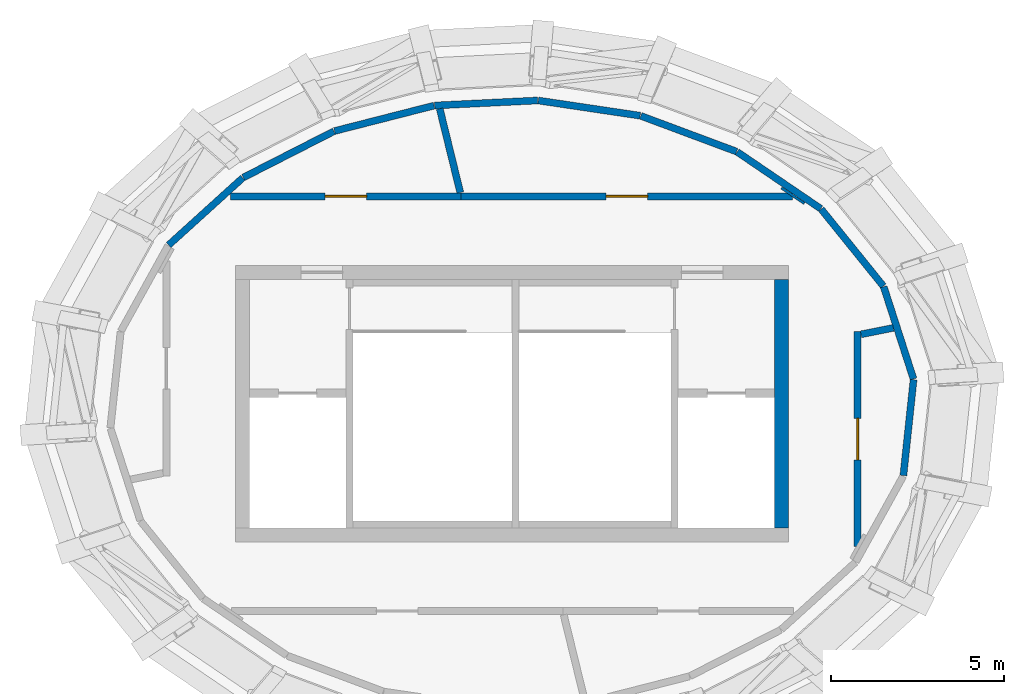
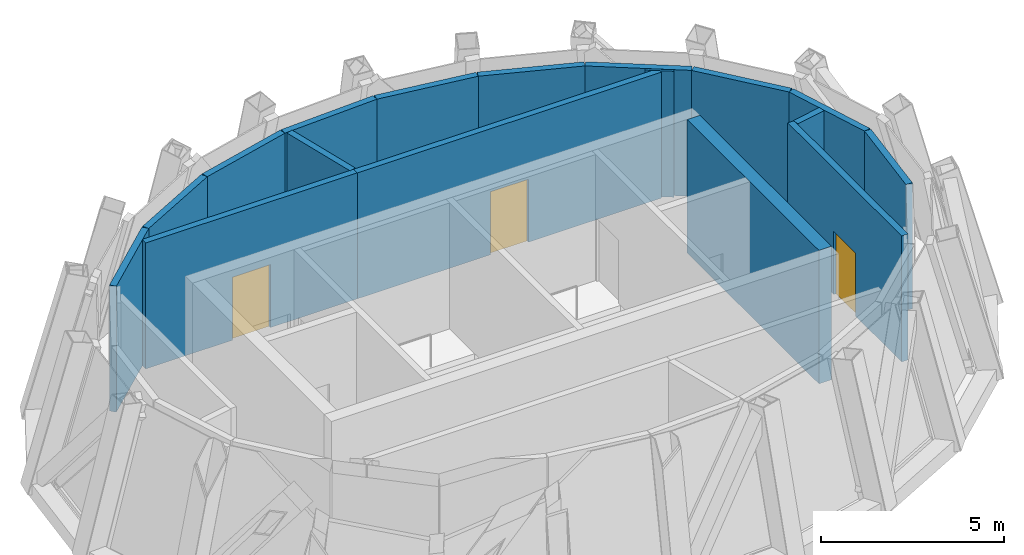
# One storey, part 5 of 6: 17 walls, 3 doors, 3 openings.
"""IFC4 building model written with IfcOpenShell, lengths in metres."""

from ifc_helpers import new_model, si_unit, direction, frame, frame_2d, origin, place, context, subcontext, project, spatial, rectangle, extrude, source, transform, mapped, material, layer, layer_set, type_object, element, fill, save


model = new_model("IFC4")

# Units and contexts
model_context = context("Model", 3, precision=1e-05, world=origin(), true_north=direction((0.0, 1.0)))
body_context = subcontext(model_context, "Body", "Model", "MODEL_VIEW")
ifc_project = project(units=[si_unit("LENGTHUNIT", "METRE"), si_unit("AREAUNIT", "SQUARE_METRE"), si_unit("VOLUMEUNIT", "CUBIC_METRE"), si_unit("PLANEANGLEUNIT", "RADIAN"), si_unit("MASSUNIT", "GRAM", prefix="KILO")], contexts=[model_context])

# Site, building, storey
site_placement = place(None, origin())
site = spatial("IfcSite", under=ifc_project, at=site_placement, CompositionType="ELEMENT")
building_placement = place(site_placement, origin())
building = spatial("IfcBuilding", under=site, at=building_placement, Name="Embergate Tower", CompositionType="ELEMENT")
storey_placement = place(building_placement, frame((0.0, 0.0, 370.0)))
storey = spatial("IfcBuildingStorey", under=building, at=storey_placement, Name="L84", CompositionType="ELEMENT", Elevation=370.0)

# Walls
ifc_material_1 = material(Name="Concrete C50", Category="concrete")
ifc_layer_1 = layer(ifc_material_1, 0.39990234375)
ifc_layer_set_1 = layer_set([ifc_layer_1], Name="Concrete C50")
wall_type_1 = type_object("IfcWallType", Name="Core outer wall C50 400", PredefinedType="SHEAR", material=ifc_layer_set_1)
shared_shape_1 = source(origin(), body_context, "Body", "SweptSolid", [
    extrude(rectangle(XDim=7.2001953125, YDim=0.39990234375, at=frame_2d((3.60009765625, 0.0))), origin(), (0.0, 0.0, 1.0), 4.449951171875),
])
wall_1_placement = place(storey_placement, frame((7.800048828125, -3.60009765625, -0.25), z_axis=(0.0, 0.0, 1.0), x_axis=(0.0, 1.0, 0.0)))
element("IfcWall", 1, at=wall_1_placement, inside=storey, type_object=wall_type_1, Name="CW-L84-E", PredefinedType="SHEAR", context=body_context, shape_type="MappedRepresentation", body=[
    mapped(shared_shape_1, transform((0.0, 0.0, 0.0))),
])
ifc_material_2 = material(Name="Terracotta louvre cladding on insulated backing", Category="masonry")
ifc_layer_2 = layer(ifc_material_2, 0.199951171875)
ifc_layer_set_2 = layer_set([ifc_layer_2], Name="Terracotta louvre cladding on insulated backing")
wall_type_2 = type_object("IfcWallType", Name="Terracotta louvre wall", PredefinedType="SOLIDWALL", material=ifc_layer_set_2)
shared_shape_2 = source(origin(), body_context, "Body", "SweptSolid", [
    extrude(rectangle(XDim=2.86328125, YDim=0.199951171875, at=frame_2d((1.431640625, 0.0))), origin(), (0.0, 0.0, 1.0), 4.199951171875),
])
wall_2_placement = place(storey_placement, frame((8.9453125, 5.628662109375, 0.0), z_axis=(0.0, 0.0, 1.0), x_axis=(0.628223975098, -0.77803254245, 0.0)))
element("IfcWall", 2, at=wall_2_placement, inside=storey, type_object=wall_type_2, Name="Crown louvre wall 1", PredefinedType="SOLIDWALL", context=body_context, shape_type="MappedRepresentation", body=[
    mapped(shared_shape_2, transform((0.0, 0.0, 0.0))),
])
shared_shape_3 = source(origin(), body_context, "Body", "SweptSolid", [
    extrude(rectangle(XDim=2.920166015625, YDim=0.199951171875, at=frame_2d((1.4599609375, 0.0))), origin(), (0.0, 0.0, 1.0), 4.199951171875),
])
wall_3_placement = place(storey_placement, frame((6.515869140625, 7.28369140625, 0.0), z_axis=(0.0, 0.0, 1.0), x_axis=(0.827026010812, -0.562163657168, 0.0)))
element("IfcWall", 3, at=wall_3_placement, inside=storey, type_object=wall_type_2, Name="Crown louvre wall 2", PredefinedType="SOLIDWALL", context=body_context, shape_type="MappedRepresentation", body=[
    mapped(shared_shape_3, transform((0.0, 0.0, 0.0))),
])
shared_shape_4 = source(origin(), body_context, "Body", "SweptSolid", [
    extrude(rectangle(XDim=2.95849609375, YDim=0.199951171875, at=frame_2d((1.479248046875, 0.0))), origin(), (0.0, 0.0, 1.0), 4.199951171875),
])
wall_4_placement = place(storey_placement, frame((3.726318359375, 8.326904296875, 0.0), z_axis=(0.0, 0.0, 1.0), x_axis=(0.936917921025, -0.349549437508, 0.0)))
element("IfcWall", 4, at=wall_4_placement, inside=storey, type_object=wall_type_2, Name="Crown louvre wall 3", PredefinedType="SOLIDWALL", context=body_context, shape_type="MappedRepresentation", body=[
    mapped(shared_shape_4, transform((0.0, 0.0, 0.0))),
])
shared_shape_5 = source(origin(), body_context, "Body", "SweptSolid", [
    extrude(rectangle(XDim=2.978271484375, YDim=0.199951171875, at=frame_2d((1.4892578125, 0.0))), origin(), (0.0, 0.0, 1.0), 4.199951171875),
])
wall_5_placement = place(storey_placement, frame((0.760986328125, 8.77099609375, 0.0), z_axis=(0.0, 0.0, 1.0), x_axis=(0.989067040899, -0.147466567759, 0.0)))
element("IfcWall", 5, at=wall_5_placement, inside=storey, type_object=wall_type_2, Name="Crown louvre wall 4", PredefinedType="SOLIDWALL", context=body_context, shape_type="MappedRepresentation", body=[
    mapped(shared_shape_5, transform((0.0, 0.0, 0.0))),
])
shared_shape_6 = source(origin(), body_context, "Body", "SweptSolid", [
    extrude(rectangle(XDim=2.981201171875, YDim=0.199951171875, at=frame_2d((1.49072265625, 0.0))), origin(), (0.0, 0.0, 1.0), 4.199951171875),
])
wall_6_placement = place(storey_placement, frame((-2.236328125, 8.626708984375, 0.0), z_axis=(0.0, 0.0, 1.0), x_axis=(0.998812059487, 0.048728531928, 0.0)))
element("IfcWall", 6, at=wall_6_placement, inside=storey, type_object=wall_type_2, Name="Crown louvre wall 5", PredefinedType="SOLIDWALL", context=body_context, shape_type="MappedRepresentation", body=[
    mapped(shared_shape_6, transform((0.0, 0.0, 0.0))),
])
shared_shape_7 = source(origin(), body_context, "Body", "SweptSolid", [
    extrude(rectangle(XDim=2.970458984375, YDim=0.199951171875, at=frame_2d((1.4853515625, 0.0))), origin(), (0.0, 0.0, 1.0), 4.199951171875),
])
wall_7_placement = place(storey_placement, frame((-5.134033203125, 7.88818359375, 0.0), z_axis=(0.0, 0.0, 1.0), x_axis=(0.968872424501, 0.247560548235, 0.0)))
element("IfcWall", 7, at=wall_7_placement, inside=storey, type_object=wall_type_2, Name="Crown louvre wall 6", PredefinedType="SOLIDWALL", context=body_context, shape_type="MappedRepresentation", body=[
    mapped(shared_shape_7, transform((0.0, 0.0, 0.0))),
])
shared_shape_8 = source(origin(), body_context, "Body", "SweptSolid", [
    extrude(rectangle(XDim=2.94189453125, YDim=0.199951171875, at=frame_2d((1.470947265625, 0.0))), origin(), (0.0, 0.0, 1.0), 4.199951171875),
])
wall_8_placement = place(storey_placement, frame((-7.773193359375, 6.544189453125, 0.0), z_axis=(0.0, 0.0, 1.0), x_axis=(0.890779694992, 0.454435402439, 0.0)))
element("IfcWall", 8, at=wall_8_placement, inside=storey, type_object=wall_type_2, Name="Crown louvre wall 7", PredefinedType="SOLIDWALL", context=body_context, shape_type="MappedRepresentation", body=[
    mapped(shared_shape_8, transform((0.0, 0.0, 0.0))),
])
shared_shape_9 = source(origin(), body_context, "Body", "SweptSolid", [
    extrude(rectangle(XDim=2.893798828125, YDim=0.199951171875, at=frame_2d((1.44677734375, 0.0))), origin(), (0.0, 0.0, 1.0), 4.199951171875),
])
wall_9_placement = place(storey_placement, frame((-9.93408203125, 4.590087890625, 0.0), z_axis=(0.0, 0.0, 1.0), x_axis=(0.741091893943, 0.671403607923, 0.0)))
element("IfcWall", 9, at=wall_9_placement, inside=storey, type_object=wall_type_2, Name="Crown louvre wall 8", PredefinedType="SOLIDWALL", context=body_context, shape_type="MappedRepresentation", body=[
    mapped(shared_shape_9, transform((0.0, 0.0, 0.0))),
])
shared_shape_10 = source(origin(), body_context, "Body", "SweptSolid", [
    extrude(rectangle(XDim=2.789306640625, YDim=0.199951171875, at=frame_2d((1.39453125, 0.0))), origin(), (0.0, 0.0, 1.0), 4.199951171875),
])
wall_10_placement = place(storey_placement, frame((11.6181640625, 0.695556640625, 0.0), z_axis=(0.0, 0.0, 1.0), x_axis=(-0.105819200095, -0.994385386503, 0.0)))
element("IfcWall", 10, at=wall_10_placement, inside=storey, type_object=wall_type_2, Name="Crown louvre wall 21", PredefinedType="SOLIDWALL", context=body_context, shape_type="MappedRepresentation", body=[
    mapped(shared_shape_10, transform((0.0, 0.0, 0.0))),
])
shared_shape_11 = source(origin(), body_context, "Body", "SweptSolid", [
    extrude(rectangle(XDim=2.804443359375, YDim=0.199951171875, at=frame_2d((1.40234375, 0.0))), origin(), (0.0, 0.0, 1.0), 4.199951171875),
])
wall_11_placement = place(storey_placement, frame((10.753662109375, 3.383544921875, 0.0), z_axis=(0.0, 0.0, 1.0), x_axis=(0.30756994526, -0.951525474579, 0.0)))
element("IfcWall", 11, at=wall_11_placement, inside=storey, type_object=wall_type_2, Name="Crown louvre wall 22", PredefinedType="SOLIDWALL", context=body_context, shape_type="MappedRepresentation", body=[
    mapped(shared_shape_11, transform((0.0, 0.0, 0.0))),
])
ifc_material_3 = material(Name="Blockwork, plastered", Category="masonry")
ifc_layer_3 = layer(ifc_material_3, 0.199951171875)
ifc_layer_set_3 = layer_set([ifc_layer_3], Name="Blockwork, plastered")
wall_type_3 = type_object("IfcWallType", Name="Fire partition wall 200 block", PredefinedType="PARTITIONING", material=ifc_layer_set_3)
shared_shape_12 = source(origin(), body_context, "Body", "SweptSolid", [
    extrude(rectangle(XDim=0.953369140625, YDim=0.199951171875, at=frame_2d((0.4765625, 0.0))), origin(), (0.0, 0.0, 1.0), 4.199951171875),
])
wall_12_placement = place(storey_placement, frame((10.097900390625, 2.007080078125, 0.0), z_axis=(0.0, 0.0, 1.0), x_axis=(0.980777163818, 0.19513112241, 0.0)))
element("IfcWall", 12, at=wall_12_placement, inside=storey, type_object=wall_type_3, Name="Partition 010", PredefinedType="PARTITIONING", context=body_context, shape_type="MappedRepresentation", body=[
    mapped(shared_shape_12, transform((0.0, 0.0, 0.0))),
])

# Wall, opening, door
shared_shape_13 = source(origin(), body_context, "Body", "SweptSolid", [
    extrude(rectangle(XDim=6.219970703125, YDim=0.199951171875, at=frame_2d((3.10986328125, 0.0))), origin(), (0.0, 0.0, 1.0), 4.199951171875),
])
wall_13_placement = place(storey_placement, frame((10.0, 2.087890625, 0.0), z_axis=(0.0, 0.0, 1.0), x_axis=(0.0, -1.0, 0.0)))
wall_13 = element("IfcWall", 13, at=wall_13_placement, inside=storey, type_object=wall_type_3, Name="Partition 009", PredefinedType="PARTITIONING", context=body_context, shape_type="MappedRepresentation", body=[
    mapped(shared_shape_13, transform((0.0, 0.0, 0.0))),
])
shared_shape_14 = source(origin(), body_context, "Body", "SweptSolid", [
    extrude(rectangle(XDim=1.199951171875, YDim=2.10009765625, at=frame_2d((0.60009765625, 1.050048828125))), frame((0.0, 0.10986328125, 0.0), z_axis=(0.0, -1.0, 0.0), x_axis=(1.0, 0.0, 0.0)), (0.0, 0.0, 1.0), 0.219970703125),
])
opening_1_placement = place(wall_13_placement, frame((2.510009765625, 0.0, 0.0)))
opening_1 = element("IfcOpeningElement", 14, at=opening_1_placement, cuts=wall_13, Name="Opening DS-302", PredefinedType="OPENING", context=body_context, shape_type="MappedRepresentation", body=[
    mapped(shared_shape_14, transform((0.0, 0.0, 0.0))),
])
ifc_material_4 = material(Name="Timber door leaf, steel frame", Category="steel")
door_type = type_object("IfcDoorType", Name="Plant door 1200x2100", OperationType="SINGLE_SWING_LEFT", PredefinedType="DOOR", material=ifc_material_4)
shared_shape_15 = source(origin(), body_context, "Body", "SweptSolid", [
    extrude(rectangle(XDim=1.199951171875, YDim=2.10009765625, at=frame_2d((0.60009765625, 1.050048828125))), frame((0.0, 0.02490234375, 0.0), z_axis=(0.0, -1.0, 0.0), x_axis=(1.0, 0.0, 0.0)), (0.0, 0.0, 1.0), 0.050048828125),
])
door_1_placement = place(opening_1_placement, origin())
door_1 = element("IfcDoor", 15, at=door_1_placement, inside=storey, type_object=door_type, Name="Door to Crown electrical plant room", OperationType="SINGLE_SWING_LEFT", OverallHeight=2.10009765625, OverallWidth=1.199951171875, PredefinedType="DOOR", context=body_context, shape_type="MappedRepresentation", body=[
    mapped(shared_shape_15, transform((0.0, 0.0, 0.0))),
])
fill(opening_1, door_1)

shared_shape_16 = source(origin(), body_context, "Body", "SweptSolid", [
    extrude(rectangle(XDim=6.677978515625, YDim=0.199951171875, at=frame_2d((3.3388671875, 0.0))), origin(), (0.0, 0.0, 1.0), 4.199951171875),
])
wall_14_placement = place(storey_placement, frame((-8.14794921875, 6.0, 0.0), z_axis=(0.0, 0.0, 1.0), x_axis=(1.0, 0.0, 0.0)))
wall_14 = element("IfcWall", 16, at=wall_14_placement, inside=storey, type_object=wall_type_3, Name="Partition 003", PredefinedType="PARTITIONING", context=body_context, shape_type="MappedRepresentation", body=[
    mapped(shared_shape_16, transform((0.0, 0.0, 0.0))),
])
opening_2_placement = place(wall_14_placement, frame((2.739013671875, 0.0, 0.0)))
opening_2 = element("IfcOpeningElement", 17, at=opening_2_placement, cuts=wall_14, Name="Opening DS-298", PredefinedType="OPENING", context=body_context, shape_type="MappedRepresentation", body=[
    mapped(shared_shape_14, transform((0.0, 0.0, 0.0))),
])
door_2_placement = place(opening_2_placement, origin())
door_2 = element("IfcDoor", 18, at=door_2_placement, inside=storey, type_object=door_type, Name="Door to Crown maintenance gantry store", OperationType="SINGLE_SWING_LEFT", OverallHeight=2.10009765625, OverallWidth=1.199951171875, PredefinedType="DOOR", context=body_context, shape_type="MappedRepresentation", body=[
    mapped(shared_shape_15, transform((0.0, 0.0, 0.0))),
])
fill(opening_2, door_2)

# Wall
shared_shape_17 = source(origin(), body_context, "Body", "SweptSolid", [
    extrude(rectangle(XDim=2.498779296875, YDim=0.199951171875, at=frame_2d((1.24951171875, 0.0))), origin(), (0.0, 0.0, 1.0), 4.199951171875),
])
wall_15_placement = place(storey_placement, frame((-1.49609375, 6.10693359375, 0.0), z_axis=(0.0, 0.0, 1.0), x_axis=(-0.238096332587, 0.971241543803, 0.0)))
element("IfcWall", 19, at=wall_15_placement, inside=storey, type_object=wall_type_3, Name="Partition 004", PredefinedType="PARTITIONING", context=body_context, shape_type="MappedRepresentation", body=[
    mapped(shared_shape_17, transform((0.0, 0.0, 0.0))),
])

# Wall, opening, door
shared_shape_18 = source(origin(), body_context, "Body", "SweptSolid", [
    extrude(rectangle(XDim=9.583984375, YDim=0.199951171875, at=frame_2d((4.7919921875, 0.0))), origin(), (0.0, 0.0, 1.0), 4.199951171875),
])
wall_16_placement = place(storey_placement, frame((-1.469970703125, 6.0, 0.0), z_axis=(0.0, 0.0, 1.0), x_axis=(1.0, 0.0, 0.0)))
wall_16 = element("IfcWall", 20, at=wall_16_placement, inside=storey, type_object=wall_type_3, Name="Partition 005", PredefinedType="PARTITIONING", context=body_context, shape_type="MappedRepresentation", body=[
    mapped(shared_shape_18, transform((0.0, 0.0, 0.0))),
])
opening_3_placement = place(wall_16_placement, frame((4.19189453125, 0.0, 0.0)))
opening_3 = element("IfcOpeningElement", 21, at=opening_3_placement, cuts=wall_16, Name="Opening DS-297", PredefinedType="OPENING", context=body_context, shape_type="MappedRepresentation", body=[
    mapped(shared_shape_14, transform((0.0, 0.0, 0.0))),
])
door_3_placement = place(opening_3_placement, origin())
door_3 = element("IfcDoor", 22, at=door_3_placement, inside=storey, type_object=door_type, Name="Door to Crown mechanical plant room", OperationType="SINGLE_SWING_LEFT", OverallHeight=2.10009765625, OverallWidth=1.199951171875, PredefinedType="DOOR", context=body_context, shape_type="MappedRepresentation", body=[
    mapped(shared_shape_15, transform((0.0, 0.0, 0.0))),
])
fill(opening_3, door_3)

# Wall
ifc_material_5 = material(Name="Plasterboard on steel stud", Category="steel")
ifc_layer_4 = layer(ifc_material_5, 0.14990234375)
ifc_layer_set_4 = layer_set([ifc_layer_4], Name="Plasterboard on steel stud")
wall_type_4 = type_object("IfcWallType", Name="Partition wall 150 board", PredefinedType="PARTITIONING", material=ifc_layer_set_4)
shared_shape_19 = source(origin(), body_context, "Body", "SweptSolid", [
    extrude(rectangle(XDim=0.800537109375, YDim=0.072509765625, at=frame_2d((0.400390625, 0.0))), origin(), (0.0, 0.0, 1.0), 4.199951171875),
])
wall_17_placement = place(storey_placement, frame((7.794921875, 6.242919921875, 0.0), z_axis=(0.0, 0.0, 1.0), x_axis=(0.827090966084, -0.562068086465, 0.0)))
element("IfcWall", 23, at=wall_17_placement, inside=storey, type_object=wall_type_4, Name="Partition 012", PredefinedType="PARTITIONING", context=body_context, shape_type="MappedRepresentation", body=[
    mapped(shared_shape_19, transform((0.0, 0.0, 0.0))),
])

save(model, "model.ifc")
